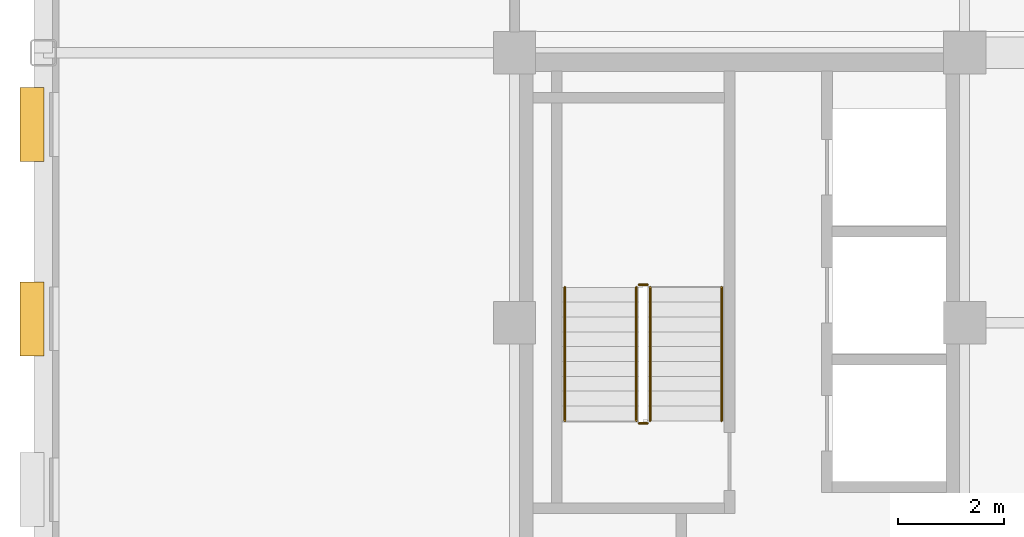
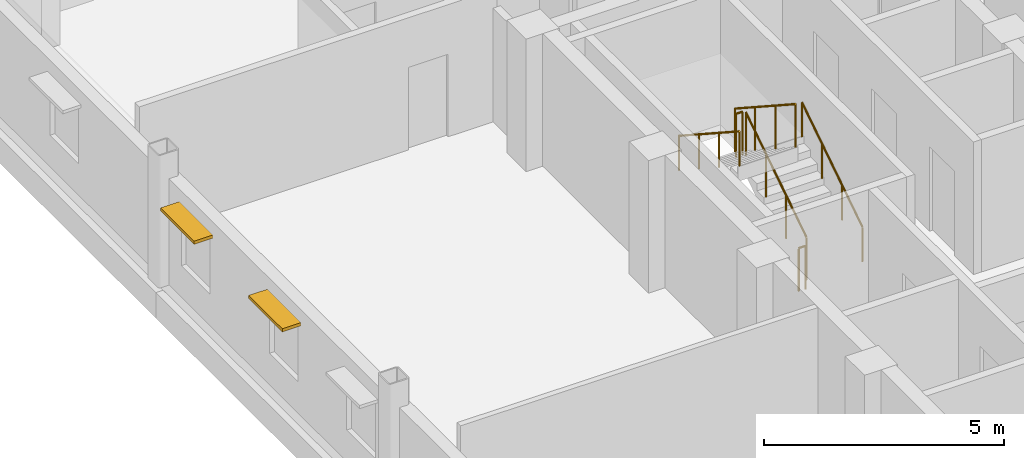
# One storey, part 11 of 13: 6 railings, 2 shading devices.
"""IFC4 building model written with IfcOpenShell, lengths in metres."""

from ifc_helpers import new_model, si_unit, direction, frame, origin, origin_2d, place, context, subcontext, project, spatial, rectangle, circle, extrude, source, transform, mapped, material, type_object, type_shapes, element, save


model = new_model("IFC4")

# Units and contexts
model_context = context("Model", 3, precision=1e-05, world=origin(), true_north=direction((0.0, 1.0)))
body_context = subcontext(model_context, "Body", "Model", "MODEL_VIEW")
ifc_project = project(units=[si_unit("LENGTHUNIT", "METRE"), si_unit("AREAUNIT", "SQUARE_METRE"), si_unit("VOLUMEUNIT", "CUBIC_METRE"), si_unit("PLANEANGLEUNIT", "RADIAN"), si_unit("MASSUNIT", "GRAM", prefix="KILO")], contexts=[model_context])

# Site, building, storey
site_placement = place(None, origin())
site = spatial("IfcSite", under=ifc_project, at=site_placement, CompositionType="ELEMENT")
building_placement = place(site_placement, origin())
building = spatial("IfcBuilding", under=site, at=building_placement, Name="Nuvemarco Arch Tower", CompositionType="ELEMENT")
storey_placement = place(building_placement, frame((0.0, 0.0, 234.699951171875)))
storey = spatial("IfcBuildingStorey", under=building, at=storey_placement, Name="L62", CompositionType="ELEMENT", Elevation=234.699951171875)

# Railings
ifc_material_1 = material(Name="Brushed stainless steel handrail", Category="steel")
railing_type_1 = type_object("IfcRailingType", Name="RL-HANDRAIL-900", PredefinedType="HANDRAIL", material=ifc_material_1)
railing_1_placement = place(storey_placement, frame((-13.590087890625, 2.64990234375, 0.1826171875)))
element("IfcRailing", 1, at=railing_1_placement, inside=storey, type_object=railing_type_1, Name="L62 ST-1 stair handrail 1", PredefinedType="HANDRAIL", context=body_context, shape_type="SweptSolid", body=[
    extrude(circle(Radius=0.02392578125, at=origin_2d()), frame((0.0, 0.0, 0.8759765625), z_axis=(0.0, 0.837786554691, 0.545997883492), x_axis=(-1.0, 0.0, 0.0)), (0.0, 0.0, 1.0), 3.008056640625),
    extrude(circle(Radius=0.02099609375, at=origin_2d()), origin(), (0.0, 0.0, 1.0), 0.851806640625),
    extrude(circle(Radius=0.02099609375, at=origin_2d()), frame((0.0, 0.840087890625, 0.54736328125)), (0.0, 0.0, 1.0), 0.851806640625),
    extrude(circle(Radius=0.02099609375, at=origin_2d()), frame((0.0, 1.679931640625, 1.094970703125)), (0.0, 0.0, 1.0), 0.851806640625),
    extrude(circle(Radius=0.02099609375, at=origin_2d()), frame((0.0, 2.52001953125, 1.642333984375)), (0.0, 0.0, 1.0), 0.851806640625),
])
railing_2_placement = place(storey_placement, frame((-16.550048828125, 5.169921875, 2.007568359375)))
element("IfcRailing", 2, at=railing_2_placement, inside=storey, type_object=railing_type_1, Name="L62 ST-1 stair handrail 2", PredefinedType="HANDRAIL", context=body_context, shape_type="SweptSolid", body=[
    extrude(circle(Radius=0.02392578125, at=origin_2d()), frame((0.0, 0.0, 0.8759765625), z_axis=(0.0, -0.837749427056, 0.546054848405), x_axis=(1.0, 0.0, 0.0)), (0.0, 0.0, 1.0), 3.008056640625),
    extrude(circle(Radius=0.02099609375, at=origin_2d()), origin(), (0.0, 0.0, 1.0), 0.851806640625),
    extrude(circle(Radius=0.02099609375, at=origin_2d()), frame((0.0, -0.840087890625, 0.547607421875)), (0.0, 0.0, 1.0), 0.851806640625),
    extrude(circle(Radius=0.02099609375, at=origin_2d()), frame((0.0, -1.679931640625, 1.094970703125)), (0.0, 0.0, 1.0), 0.851806640625),
    extrude(circle(Radius=0.02099609375, at=origin_2d()), frame((0.0, -2.52001953125, 1.642578125)), (0.0, 0.0, 1.0), 0.851806640625),
])
ifc_material_2 = material(Name="Painted balustrade steel S355", Category="steel")
railing_type_2 = type_object("IfcRailingType", Name="RL-STAIR-GUARD", PredefinedType="GUARDRAIL", material=ifc_material_2)
railing_3_placement = place(storey_placement, frame((-14.93994140625, 2.64990234375, 0.1826171875)))
element("IfcRailing", 3, at=railing_3_placement, inside=storey, type_object=railing_type_2, Name="L62 ST-1 stair guard 1", PredefinedType="GUARDRAIL", context=body_context, shape_type="SweptSolid", body=[
    extrude(circle(Radius=0.02392578125, at=origin_2d()), frame((0.0, 0.0, 1.09619140625), z_axis=(0.0, 0.837786554691, 0.545997883492), x_axis=(-1.0, 0.0, 0.0)), (0.0, 0.0, 1.0), 3.008056640625),
    extrude(circle(Radius=0.02099609375, at=origin_2d()), origin(), (0.0, 0.0, 1.0), 1.072021484375),
    extrude(circle(Radius=0.02099609375, at=origin_2d()), frame((0.0, 0.840087890625, 0.54736328125)), (0.0, 0.0, 1.0), 1.072021484375),
    extrude(circle(Radius=0.02099609375, at=origin_2d()), frame((0.0, 1.679931640625, 1.094970703125)), (0.0, 0.0, 1.0), 1.072021484375),
    extrude(circle(Radius=0.02099609375, at=origin_2d()), frame((0.0, 2.52001953125, 1.642333984375)), (0.0, 0.0, 1.0), 1.072021484375),
])
railing_4_placement = place(storey_placement, frame((-14.989990234375, 5.219970703125, 1.824951171875)))
element("IfcRailing", 4, at=railing_4_placement, inside=storey, type_object=railing_type_2, Name="L62 ST-1 stair guard 2", PredefinedType="GUARDRAIL", context=body_context, shape_type="SweptSolid", body=[
    extrude(circle(Radius=0.02392578125, at=origin_2d()), frame((0.0, 0.0, 1.09619140625), z_axis=(-1.0, 0.0, 0.0), x_axis=(0.0, -1.0, 0.0)), (0.0, 0.0, 1.0), 0.159912109375),
    extrude(circle(Radius=0.02099609375, at=origin_2d()), origin(), (0.0, 0.0, 1.0), 1.072021484375),
    extrude(circle(Radius=0.02099609375, at=origin_2d()), frame((-0.159912109375, 0.0, 0.0)), (0.0, 0.0, 1.0), 1.072021484375),
])
railing_5_placement = place(storey_placement, frame((-15.199951171875, 5.169921875, 2.007568359375)))
element("IfcRailing", 5, at=railing_5_placement, inside=storey, type_object=railing_type_2, Name="L62 ST-1 stair guard 3", PredefinedType="GUARDRAIL", context=body_context, shape_type="SweptSolid", body=[
    extrude(circle(Radius=0.02392578125, at=origin_2d()), frame((0.0, 0.0, 1.09619140625), z_axis=(0.0, -0.837749427056, 0.546054848405), x_axis=(1.0, 0.0, 0.0)), (0.0, 0.0, 1.0), 3.008056640625),
    extrude(circle(Radius=0.02099609375, at=origin_2d()), origin(), (0.0, 0.0, 1.0), 1.072021484375),
    extrude(circle(Radius=0.02099609375, at=origin_2d()), frame((0.0, -0.840087890625, 0.547607421875)), (0.0, 0.0, 1.0), 1.072021484375),
    extrude(circle(Radius=0.02099609375, at=origin_2d()), frame((0.0, -1.679931640625, 1.094970703125)), (0.0, 0.0, 1.0), 1.072021484375),
    extrude(circle(Radius=0.02099609375, at=origin_2d()), frame((0.0, -2.52001953125, 1.642578125)), (0.0, 0.0, 1.0), 1.072021484375),
])
railing_6_placement = place(storey_placement, frame((-14.989990234375, 2.60009765625, 0.0)))
element("IfcRailing", 6, at=railing_6_placement, inside=storey, type_object=railing_type_2, Name="L62 ST-1 stair guard 4", PredefinedType="GUARDRAIL", context=body_context, shape_type="SweptSolid", body=[
    extrude(circle(Radius=0.02392578125, at=origin_2d()), frame((0.0, 0.0, 1.09619140625), z_axis=(-1.0, 0.0, 0.0), x_axis=(0.0, -1.0, 0.0)), (0.0, 0.0, 1.0), 0.159912109375),
    extrude(circle(Radius=0.02099609375, at=origin_2d()), origin(), (0.0, 0.0, 1.0), 1.072021484375),
    extrude(circle(Radius=0.02099609375, at=origin_2d()), frame((-0.159912109375, 0.0, 0.0)), (0.0, 0.0, 1.0), 1.072021484375),
])

# Shading devices
ifc_material_3 = material(Name="Anodised aluminium 6063-T6", Category="aluminium")
shading_device_type = type_object("IfcShadingDeviceType", Name="SHD-BRISE-NARROW", PredefinedType="USERDEFINED", material=ifc_material_3)
shared_shape = source(origin(), body_context, "Body", "SweptSolid", [
    extrude(rectangle(XDim=1.39990234375, YDim=0.449951171875, at=origin_2d()), origin(), (0.0, 0.0, 1.0), 0.080078125),
])
type_shapes(shading_device_type, [shared_shape])
for number, where, z_axis, x_axis, name in (
    (7, (-26.614990234375, 4.572509765625, 2.284912109375), (0.0, 0.0, 1.0), (0.0, 1.0, 0.0), "L62 horizontal brise-soleil sunshade"),
    (8, (-26.614990234375, 8.2451171875, 2.284912109375), (0.0, 0.0, 1.0), (0.0, 1.0, 0.0), "L62 horizontal brise-soleil sunshade"),
):
    element("IfcShadingDevice", number, at=place(storey_placement, frame(where, z_axis=z_axis, x_axis=x_axis)), inside=storey, type_object=shading_device_type, Name=name, ObjectType="SUNSHADE", PredefinedType="USERDEFINED", context=body_context, shape_type="MappedRepresentation", body=[
        mapped(shared_shape, transform((0.0, 0.0, 0.0), scale=1.0)),
    ])

save(model, "model.ifc")
